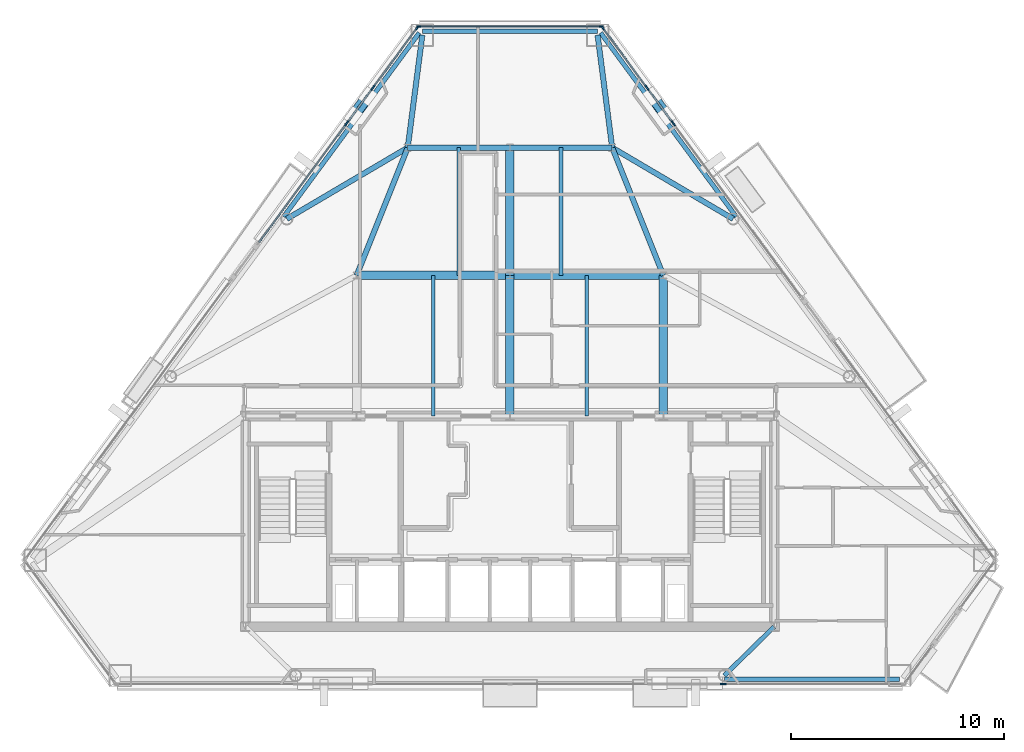
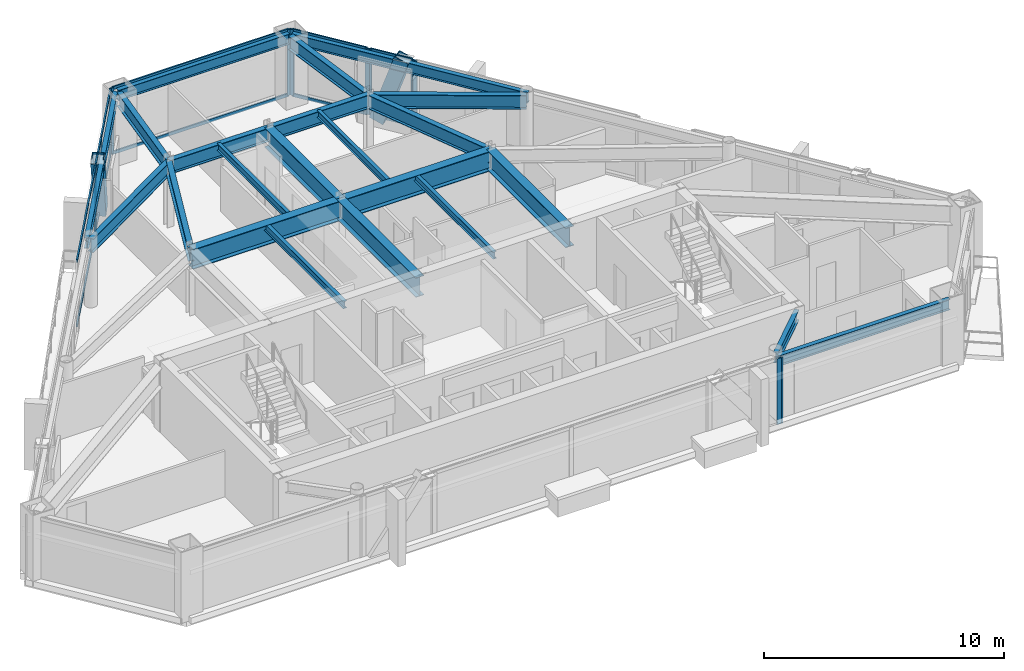
# One storey, part 4 of 11: 28 members, 22 beams, 9 elements without a shape of their own.
"""IFC4 building model written with IfcOpenShell, lengths in metres."""

from ifc_helpers import new_model, si_unit, direction, frame, origin, origin_2d, place, context, subcontext, project, spatial, rectangle, hollow_rectangle, i_section, extrude, material, layer, layer_set, material_profile, profile_set, type_object, element, aggregate, save


model = new_model("IFC4")

# Units and contexts
model_context = context("Model", 3, precision=1e-05, world=origin(), true_north=direction((0.0, 1.0)))
body_context = subcontext(model_context, "Body", "Model", "MODEL_VIEW")
ifc_project = project(units=[si_unit("LENGTHUNIT", "METRE"), si_unit("AREAUNIT", "SQUARE_METRE"), si_unit("VOLUMEUNIT", "CUBIC_METRE"), si_unit("PLANEANGLEUNIT", "RADIAN"), si_unit("MASSUNIT", "GRAM", prefix="KILO")], contexts=[model_context])

# Site, building, storey
site_placement = place(None, origin())
site = spatial("IfcSite", under=ifc_project, at=site_placement, CompositionType="ELEMENT")
building_placement = place(site_placement, origin())
building = spatial("IfcBuilding", under=site, at=building_placement, Name="Talgorran Terracotta Tower", CompositionType="ELEMENT")
storey_placement = place(building_placement, frame((0.0, 0.0, 178.5)))
storey = spatial("IfcBuildingStorey", under=building, at=storey_placement, Name="L46", CompositionType="ELEMENT", Elevation=178.5)

# Beams
ifc_material_1 = material(Name="Steel Grade 350 (350L0)", Category="steel")
ifc_material_profile_1 = material_profile(ifc_material_1, i_section(OverallWidth=0.39990234375, OverallDepth=1.0, WebThickness=0.01611328125, FlangeThickness=0.031005859375, at=origin_2d()), Name="1000WB296")
ifc_profile_set_1 = profile_set([ifc_material_profile_1], Name="Steel Grade 350 (350L0)")
beam_type_1 = type_object("IfcBeamType", Name="BM_1000WB296", PredefinedType="BEAM", material=ifc_profile_set_1)
for number, where, z_axis, x_axis, name in (
    (1, (0.0, -4.199951171875, 2.85009765625), (0.0, 1.0, 0.0), (-1.0, 0.0, 0.0), "L46 Floor Girder G02"),
    (2, (7.199951171875, -4.199951171875, 2.85009765625), (0.0, 1.0, 0.0), (-1.0, 0.0, 0.0), "L46 Floor Girder G03"),
):
    element("IfcBeam", number, at=place(storey_placement, frame(where, z_axis=z_axis, x_axis=x_axis)), inside=storey, type_object=beam_type_1, Name=name, PredefinedType="BEAM", context=body_context, shape_type="SweptSolid", body=[
        extrude(i_section(OverallWidth=0.39990234375, OverallDepth=1.0, WebThickness=0.01611328125, FlangeThickness=0.031005859375, at=origin_2d()), origin(), (0.0, 0.0, 1.0), 6.599853515625),
    ])
for number, where, z_axis, x_axis, name in (
    (3, (-7.199951171875, 2.39990234375, 2.85009765625), (1.0, 0.0, 0.0), (0.0, 1.0, 0.0), "L46 Floor Girder G04"),
    (4, (0.0, 2.39990234375, 2.85009765625), (1.0, 0.0, 0.0), (0.0, 1.0, 0.0), "L46 Floor Girder G05"),
):
    element("IfcBeam", number, at=place(storey_placement, frame(where, z_axis=z_axis, x_axis=x_axis)), inside=storey, type_object=beam_type_1, Name=name, PredefinedType="BEAM", context=body_context, shape_type="SweptSolid", body=[
        extrude(i_section(OverallWidth=0.39990234375, OverallDepth=1.0, WebThickness=0.01611328125, FlangeThickness=0.031005859375, at=origin_2d()), origin(), (0.0, 0.0, 1.0), 7.199951171875),
    ])
beam_1_placement = place(storey_placement, frame((0.0, 2.39990234375, 2.85009765625), z_axis=(0.0, 1.0, 0.0), x_axis=(-1.0, 0.0, 0.0)))
element("IfcBeam", 5, at=beam_1_placement, inside=storey, type_object=beam_type_1, Name="L46 Floor Girder G09", PredefinedType="BEAM", context=body_context, shape_type="SweptSolid", body=[
    extrude(i_section(OverallWidth=0.39990234375, OverallDepth=1.0, WebThickness=0.01611328125, FlangeThickness=0.031005859375, at=origin_2d()), origin(), (0.0, 0.0, 1.0), 6.0),
])
ifc_material_2 = material(Name="Steel S355 (300PLUS)", Category="steel")
ifc_material_profile_2 = material_profile(ifc_material_2, i_section(OverallWidth=0.25, OverallDepth=0.699951171875, WebThickness=0.011962890625, FlangeThickness=0.02392578125, at=origin_2d()), Name="700WB150")
ifc_profile_set_2 = profile_set([ifc_material_profile_2], Name="Steel S355 (300PLUS)")
beam_type_2 = type_object("IfcBeamType", Name="BM_700WB150", PredefinedType="BEAM", material=ifc_profile_set_2)
for number, where, z_axis, x_axis, name in (
    (6, (-7.199951171875, 2.39990234375, 3.0), (0.371377648723, 0.928481901832, 0.0), (-0.928481901832, 0.371377648723, 0.0), "L46 Floor Girder G08"),
    (7, (7.199951171875, 2.39990234375, 3.0), (-0.371377648723, 0.928481901832, 0.0), (-0.928481901832, -0.371377648723, 0.0), "L46 Floor Girder G10"),
):
    element("IfcBeam", number, at=place(storey_placement, frame(where, z_axis=z_axis, x_axis=x_axis)), inside=storey, type_object=beam_type_2, Name=name, PredefinedType="BEAM", context=body_context, shape_type="SweptSolid", body=[
        extrude(i_section(OverallWidth=0.25, OverallDepth=0.699951171875, WebThickness=0.011962890625, FlangeThickness=0.02392578125, at=origin_2d()), origin(), (0.0, 0.0, 1.0), 6.462158203125),
    ])
for number, where, z_axis, x_axis, name in (
    (8, (-4.800048828125, 8.39990234375, 3.0), (1.0, 0.0, 0.0), (0.0, 1.0, 0.0), "L46 Floor Girder G11"),
    (9, (0.0, 8.39990234375, 3.0), (1.0, 0.0, 0.0), (0.0, 1.0, 0.0), "L46 Floor Girder G12"),
):
    element("IfcBeam", number, at=place(storey_placement, frame(where, z_axis=z_axis, x_axis=x_axis)), inside=storey, type_object=beam_type_2, Name=name, PredefinedType="BEAM", context=body_context, shape_type="SweptSolid", body=[
        extrude(i_section(OverallWidth=0.25, OverallDepth=0.699951171875, WebThickness=0.011962890625, FlangeThickness=0.02392578125, at=origin_2d()), origin(), (0.0, 0.0, 1.0), 4.800048828125),
    ])
for number, where, z_axis, x_axis, name in (
    (10, (-4.800048828125, 8.39990234375, 3.0), (-0.861549168895, -0.507674137195, 0.0), (0.507674137195, -0.861549168895, 0.0), "L46 Floor Girder G13"),
    (11, (4.800048828125, 8.39990234375, 3.0), (0.861549168895, -0.507674137195, 0.0), (0.507674137195, 0.861549168895, 0.0), "L46 Floor Girder G14"),
):
    element("IfcBeam", number, at=place(storey_placement, frame(where, z_axis=z_axis, x_axis=x_axis)), inside=storey, type_object=beam_type_2, Name=name, PredefinedType="BEAM", context=body_context, shape_type="SweptSolid", body=[
        extrude(i_section(OverallWidth=0.25, OverallDepth=0.699951171875, WebThickness=0.011962890625, FlangeThickness=0.02392578125, at=origin_2d()), origin(), (0.0, 0.0, 1.0), 6.58935546875),
    ])
for number, where, z_axis, x_axis, name in (
    (12, (-4.800048828125, 8.39990234375, 3.0), (0.128759320013, 0.991675873211, 0.0), (-0.991675873211, 0.128759320013, 0.0), "L46 Floor Girder G15"),
    (13, (4.800048828125, 8.39990234375, 3.0), (-0.128759320013, 0.991675873211, 0.0), (-0.991675873211, -0.128759320013, 0.0), "L46 Floor Girder G16"),
):
    element("IfcBeam", number, at=place(storey_placement, frame(where, z_axis=z_axis, x_axis=x_axis)), inside=storey, type_object=beam_type_2, Name=name, PredefinedType="BEAM", context=body_context, shape_type="SweptSolid", body=[
        extrude(i_section(OverallWidth=0.25, OverallDepth=0.699951171875, WebThickness=0.011962890625, FlangeThickness=0.02392578125, at=origin_2d()), origin(), (0.0, 0.0, 1.0), 5.328125),
    ])
ifc_material_profile_3 = material_profile(ifc_material_2, i_section(OverallWidth=0.17138671875, OverallDepth=0.355712890625, WebThickness=0.00732421875, FlangeThickness=0.011474609375, at=origin_2d()), Name="360UB50.7")
ifc_profile_set_3 = profile_set([ifc_material_profile_3], Name="Steel S355 (300PLUS)")
beam_type_3 = type_object("IfcBeamType", Name="BM_JS_360UB51", PredefinedType="JOIST", material=ifc_profile_set_3)
for number, where, z_axis, x_axis, name in (
    (14, (-3.60009765625, -4.199951171875, 3.172119140625), (0.0, 1.0, 0.0), (-1.0, 0.0, 0.0), "L46 Secondary Joist J01"),
    (15, (3.60009765625, -4.199951171875, 3.172119140625), (0.0, 1.0, 0.0), (-1.0, 0.0, 0.0), "L46 Secondary Joist J02"),
):
    element("IfcBeam", number, at=place(storey_placement, frame(where, z_axis=z_axis, x_axis=x_axis)), inside=storey, type_object=beam_type_3, Name=name, PredefinedType="JOIST", context=body_context, shape_type="SweptSolid", body=[
        extrude(i_section(OverallWidth=0.17138671875, OverallDepth=0.355712890625, WebThickness=0.00732421875, FlangeThickness=0.011474609375, at=origin_2d()), origin(), (0.0, 0.0, 1.0), 6.599853515625),
    ])
for number, where, z_axis, x_axis, name in (
    (16, (-2.39990234375, 2.39990234375, 3.172119140625), (0.0, 1.0, 0.0), (-1.0, 0.0, 0.0), "L46 Secondary Joist J03"),
    (17, (2.39990234375, 2.39990234375, 3.172119140625), (0.0, 1.0, 0.0), (-1.0, 0.0, 0.0), "L46 Secondary Joist J04"),
):
    element("IfcBeam", number, at=place(storey_placement, frame(where, z_axis=z_axis, x_axis=x_axis)), inside=storey, type_object=beam_type_3, Name=name, PredefinedType="JOIST", context=body_context, shape_type="SweptSolid", body=[
        extrude(i_section(OverallWidth=0.17138671875, OverallDepth=0.355712890625, WebThickness=0.00732421875, FlangeThickness=0.011474609375, at=origin_2d()), origin(), (0.0, 0.0, 1.0), 6.0),
    ])
ifc_material_profile_4 = material_profile(ifc_material_2, i_section(OverallWidth=0.209228515625, OverallDepth=0.532958984375, WebThickness=0.01025390625, FlangeThickness=0.015625, at=origin_2d()), Name="530UB92.4")
ifc_profile_set_4 = profile_set([ifc_material_profile_4], Name="Steel S355 (300PLUS)")
beam_type_4 = type_object("IfcBeamType", Name="BM_SP_530UB92", PredefinedType="SPANDREL", material=ifc_profile_set_4)
beam_2_placement = place(storey_placement, frame((10.0654296875, -16.565673828125, 3.08349609375), z_axis=(1.0, 0.0, 0.0), x_axis=(0.0, 1.0, 0.0)))
element("IfcBeam", 18, at=beam_2_placement, inside=storey, type_object=beam_type_4, Name="L46 Perimeter Spandrel Beam FC2-MC3", PredefinedType="SPANDREL", context=body_context, shape_type="SweptSolid", body=[
    extrude(i_section(OverallWidth=0.209228515625, OverallDepth=0.532958984375, WebThickness=0.01025390625, FlangeThickness=0.015625, at=origin_2d()), origin(), (0.0, 0.0, 1.0), 8.2353515625),
])
beam_3_placement = place(storey_placement, frame((10.621826171875, 5.16162109375, 3.08349609375), z_axis=(-0.593491072878, 0.804840572048, 0.0), x_axis=(-0.804840572048, -0.593491072878, 0.0)))
element("IfcBeam", 19, at=beam_3_placement, inside=storey, type_object=beam_type_4, Name="L46 Perimeter Spandrel Beam FC4-MC5", PredefinedType="SPANDREL", context=body_context, shape_type="SweptSolid", body=[
    extrude(i_section(OverallWidth=0.209228515625, OverallDepth=0.532958984375, WebThickness=0.01025390625, FlangeThickness=0.015625, at=origin_2d()), origin(), (0.0, 0.0, 1.0), 10.720947265625),
])
beam_4_placement = place(storey_placement, frame((4.114013671875, 13.863525390625, 3.08349609375), z_axis=(-1.0, 0.0, 0.0), x_axis=(0.0, -1.0, 0.0)))
element("IfcBeam", 20, at=beam_4_placement, inside=storey, type_object=beam_type_4, Name="L46 Perimeter Spandrel Beam MC5-MC6", PredefinedType="SPANDREL", context=body_context, shape_type="SweptSolid", body=[
    extrude(i_section(OverallWidth=0.209228515625, OverallDepth=0.532958984375, WebThickness=0.01025390625, FlangeThickness=0.015625, at=origin_2d()), origin(), (0.0, 0.0, 1.0), 8.22802734375),
])
beam_5_placement = place(storey_placement, frame((-4.259033203125, 13.790283203125, 3.08349609375), z_axis=(-0.593491072878, -0.804840572048, 0.0), x_axis=(0.804840572048, -0.593491072878, 0.0)))
element("IfcBeam", 21, at=beam_5_placement, inside=storey, type_object=beam_type_4, Name="L46 Perimeter Spandrel Beam MC6-FC5", PredefinedType="SPANDREL", context=body_context, shape_type="SweptSolid", body=[
    extrude(i_section(OverallWidth=0.209228515625, OverallDepth=0.532958984375, WebThickness=0.01025390625, FlangeThickness=0.015625, at=origin_2d()), origin(), (0.0, 0.0, 1.0), 10.720947265625),
])
beam_6_placement = place(storey_placement, frame((12.39990234375, -14.10009765625, 3.08349609375), z_axis=(-0.714577354867, -0.699556433686, 0.0), x_axis=(0.699556433686, -0.714577354867, 0.0)))
element("IfcBeam", 22, at=beam_6_placement, inside=storey, type_object=beam_type_4, Name="L46 South-East Core Tie Beam", PredefinedType="SPANDREL", context=body_context, shape_type="SweptSolid", body=[
    extrude(i_section(OverallWidth=0.209228515625, OverallDepth=0.532958984375, WebThickness=0.01025390625, FlangeThickness=0.015625, at=origin_2d()), origin(), (0.0, 0.0, 1.0), 3.266845703125),
])

# Members
ifc_material_profile_5 = material_profile(ifc_material_1, hollow_rectangle(XDim=0.52001953125, YDim=0.659912109375, WallThickness=0.034912109375, at=origin_2d()), Name="WBOX660X520X35")
ifc_profile_set_5 = profile_set([ifc_material_profile_5], Name="Steel Grade 350 (350L0)")
member_type_1 = type_object("IfcMemberType", Name="MB_MEGA_660", PredefinedType="BRACE", material=ifc_profile_set_5)
for number, where, z_axis, x_axis, name in (
    (23, (6.67529296875, 10.81689453125, -0.02490234375), (0.19018965975, -0.257871602329, 0.947275107895), (0.804788964995, 0.593561051471, 0.0), "L46 Exterior Face Mega-Brace MB-3 (NEU)"),
    (24, (-6.67529296875, 10.81689453125, -0.02490234375), (-0.19018965975, -0.257871602329, 0.947275107895), (0.804788964995, -0.593561051471, 0.0), "L46 Exterior Face Mega-Brace MB-3 (NWU)"),
):
    element("IfcMember", number, at=place(storey_placement, frame(where, z_axis=z_axis, x_axis=x_axis)), inside=storey, type_object=member_type_1, Name=name, PredefinedType="BRACE", context=body_context, shape_type="SweptSolid", body=[
        extrude(hollow_rectangle(XDim=0.52001953125, YDim=0.659912109375, WallThickness=0.034912109375, at=origin_2d()), origin(), (0.0, 0.0, 1.0), 3.589111328125),
    ])

# Curtain wall, member
ifc_material_3 = material(Name="High-Wind Unitised Glazing", Category="glass")
ifc_layer = layer(ifc_material_3, 0.2099609375, Name="CW_SYS3_RES_HIGH")
ifc_layer_set = layer_set([ifc_layer], Name="High-Wind Unitised Glazing")
curtain_wall_type = type_object("IfcCurtainWallType", Name="CW_SYS3_RES_HIGH", PredefinedType="NOTDEFINED", material=ifc_layer_set)
curtain_wall_1_placement = place(storey_placement, origin())
curtain_wall_1 = element("IfcCurtainWall", 25, at=curtain_wall_1_placement, inside=storey, type_object=curtain_wall_type, Name="CW-L46-F1D", PredefinedType="NOTDEFINED")
ifc_material_4 = material(Name="Architectural Aluminium 6063-T6", Category="aluminium")
ifc_material_profile_6 = material_profile(ifc_material_4, rectangle(XDim=0.070068359375, YDim=0.199951171875, at=origin_2d()), Name="CWM70X200")
ifc_profile_set_6 = profile_set([ifc_material_profile_6], Name="Architectural Aluminium 6063-T6")
member_type_2 = type_object("IfcMemberType", Name="MUL_70X200", PredefinedType="MULLION", material=ifc_profile_set_6)
member_1_placement = place(storey_placement, frame((9.9833984375, -16.78564453125, 0.0), z_axis=(0.0, 0.0, 1.0), x_axis=(0.0, 1.0, 0.0)))
member_1 = element("IfcMember", 26, at=member_1_placement, type_object=member_type_2, Name="CW-L46-1D mullion 2", PredefinedType="MULLION", context=body_context, shape_type="SweptSolid", body=[
    extrude(rectangle(XDim=0.070068359375, YDim=0.199951171875, at=origin_2d()), origin(), (0.0, 0.0, 1.0), 3.35009765625),
])
aggregate(curtain_wall_1, [member_1])

curtain_wall_2_placement = place(storey_placement, origin())
curtain_wall_2 = element("IfcCurtainWall", 27, at=curtain_wall_2_placement, inside=storey, type_object=curtain_wall_type, Name="CW-L46-F1E", PredefinedType="NOTDEFINED")
member_2_placement = place(storey_placement, frame((10.0634765625, -16.78564453125, 0.0), z_axis=(0.0, 0.0, 1.0), x_axis=(0.0, 1.0, 0.0)))
member_2 = element("IfcMember", 28, at=member_2_placement, type_object=member_type_2, Name="CW-L46-1E mullion 1", PredefinedType="MULLION", context=body_context, shape_type="SweptSolid", body=[
    extrude(rectangle(XDim=0.070068359375, YDim=0.199951171875, at=origin_2d()), origin(), (0.0, 0.0, 1.0), 3.35009765625),
])
aggregate(curtain_wall_2, [member_2])

curtain_wall_3_placement = place(storey_placement, origin())
curtain_wall_3 = element("IfcCurtainWall", 29, at=curtain_wall_3_placement, inside=storey, type_object=curtain_wall_type, Name="CW-L46-F41", PredefinedType="NOTDEFINED")
member_3_placement = place(storey_placement, frame((7.688232421875, 9.510498046875, 0.0), z_axis=(0.0, 0.0, 1.0), x_axis=(-0.804840415381, -0.593491285336, 0.0)))
member_3 = element("IfcMember", 30, at=member_3_placement, type_object=member_type_2, Name="CW-L46-41 mullion 2", PredefinedType="MULLION", context=body_context, shape_type="SweptSolid", body=[
    extrude(rectangle(XDim=0.070068359375, YDim=0.199951171875, at=origin_2d()), origin(), (0.0, 0.0, 1.0), 3.35009765625),
])
aggregate(curtain_wall_3, [member_3])

# Curtain wall, members
curtain_wall_4_placement = place(storey_placement, origin())
curtain_wall_4 = element("IfcCurtainWall", 31, at=curtain_wall_4_placement, inside=storey, type_object=curtain_wall_type, Name="CW-L46-F41B", PredefinedType="NOTDEFINED")
member_4_placement = place(storey_placement, frame((7.640869140625, 9.574951171875, 0.0), z_axis=(0.0, 0.0, 1.0), x_axis=(-0.804825749538, -0.593511173341, 0.0)))
member_4 = element("IfcMember", 32, at=member_4_placement, type_object=member_type_2, Name="CW-L46-41B mullion 1", PredefinedType="MULLION", context=body_context, shape_type="SweptSolid", body=[
    extrude(rectangle(XDim=0.070068359375, YDim=0.199951171875, at=origin_2d()), origin(), (0.0, 0.0, 1.0), 3.35009765625),
])
member_5_placement = place(storey_placement, frame((6.456787109375, 11.1806640625, 0.0), z_axis=(0.0, 0.0, 1.0), x_axis=(-0.804825749538, -0.593511173341, 0.0)))
member_5 = element("IfcMember", 33, at=member_5_placement, type_object=member_type_2, Name="CW-L46-41B mullion 2", PredefinedType="MULLION", context=body_context, shape_type="SweptSolid", body=[
    extrude(rectangle(XDim=0.070068359375, YDim=0.199951171875, at=origin_2d()), origin(), (0.0, 0.0, 1.0), 3.35009765625),
])

curtain_wall_5_placement = place(storey_placement, origin())
curtain_wall_5 = element("IfcCurtainWall", 34, at=curtain_wall_5_placement, inside=storey, type_object=curtain_wall_type, Name="CW-L46-F41C", PredefinedType="NOTDEFINED")
member_6_placement = place(storey_placement, frame((6.4091796875, 11.2451171875, 0.0), z_axis=(0.0, 0.0, 1.0), x_axis=(-0.804835968528, -0.593497315718, 0.0)))
member_6 = element("IfcMember", 35, at=member_6_placement, type_object=member_type_2, Name="CW-L46-41C mullion 1", PredefinedType="MULLION", context=body_context, shape_type="SweptSolid", body=[
    extrude(rectangle(XDim=0.070068359375, YDim=0.199951171875, at=origin_2d()), origin(), (0.0, 0.0, 1.0), 3.35009765625),
])
member_7_placement = place(storey_placement, frame((4.360595703125, 14.023193359375, 0.0), z_axis=(0.0, 0.0, 1.0), x_axis=(-0.804835968528, -0.593497315718, 0.0)))
member_7 = element("IfcMember", 36, at=member_7_placement, type_object=member_type_2, Name="CW-L46-41C mullion 2", PredefinedType="MULLION", context=body_context, shape_type="SweptSolid", body=[
    extrude(rectangle(XDim=0.070068359375, YDim=0.199951171875, at=origin_2d()), origin(), (0.0, 0.0, 1.0), 3.35009765625),
])

curtain_wall_6_placement = place(storey_placement, origin())
curtain_wall_6 = element("IfcCurtainWall", 37, at=curtain_wall_6_placement, inside=storey, type_object=curtain_wall_type, Name="CW-L46-F4", PredefinedType="NOTDEFINED")
member_8_placement = place(storey_placement, frame((4.281005859375, 14.08349609375, 0.0), z_axis=(0.0, 0.0, 1.0), x_axis=(0.0, -1.0, 0.0)))
member_8 = element("IfcMember", 38, at=member_8_placement, type_object=member_type_2, Name="CW-L46-4 mullion 1", PredefinedType="MULLION", context=body_context, shape_type="SweptSolid", body=[
    extrude(rectangle(XDim=0.070068359375, YDim=0.199951171875, at=origin_2d()), origin(), (0.0, 0.0, 1.0), 3.35009765625),
])
member_9_placement = place(storey_placement, frame((-4.281005859375, 14.08349609375, 0.0), z_axis=(0.0, 0.0, 1.0), x_axis=(0.0, -1.0, 0.0)))
member_9 = element("IfcMember", 39, at=member_9_placement, type_object=member_type_2, Name="CW-L46-4 mullion 2", PredefinedType="MULLION", context=body_context, shape_type="SweptSolid", body=[
    extrude(rectangle(XDim=0.070068359375, YDim=0.199951171875, at=origin_2d()), origin(), (0.0, 0.0, 1.0), 3.35009765625),
])

curtain_wall_7_placement = place(storey_placement, origin())
curtain_wall_7 = element("IfcCurtainWall", 40, at=curtain_wall_7_placement, inside=storey, type_object=curtain_wall_type, Name="CW-L46-F60", PredefinedType="NOTDEFINED")
member_10_placement = place(storey_placement, frame((-4.360595703125, 14.023193359375, 0.0), z_axis=(0.0, 0.0, 1.0), x_axis=(0.804835968528, -0.593497315718, 0.0)))
member_10 = element("IfcMember", 41, at=member_10_placement, type_object=member_type_2, Name="CW-L46-60 mullion 1", PredefinedType="MULLION", context=body_context, shape_type="SweptSolid", body=[
    extrude(rectangle(XDim=0.070068359375, YDim=0.199951171875, at=origin_2d()), origin(), (0.0, 0.0, 1.0), 3.35009765625),
])
member_11_placement = place(storey_placement, frame((-6.4091796875, 11.2451171875, 0.0), z_axis=(0.0, 0.0, 1.0), x_axis=(0.804835968528, -0.593497315718, 0.0)))
member_11 = element("IfcMember", 42, at=member_11_placement, type_object=member_type_2, Name="CW-L46-60 mullion 2", PredefinedType="MULLION", context=body_context, shape_type="SweptSolid", body=[
    extrude(rectangle(XDim=0.070068359375, YDim=0.199951171875, at=origin_2d()), origin(), (0.0, 0.0, 1.0), 3.35009765625),
])

curtain_wall_8_placement = place(storey_placement, origin())
curtain_wall_8 = element("IfcCurtainWall", 43, at=curtain_wall_8_placement, inside=storey, type_object=curtain_wall_type, Name="CW-L46-F60B", PredefinedType="NOTDEFINED")
member_12_placement = place(storey_placement, frame((-6.456787109375, 11.1806640625, 0.0), z_axis=(0.0, 0.0, 1.0), x_axis=(0.804842805539, -0.593488044001, 0.0)))
member_12 = element("IfcMember", 44, at=member_12_placement, type_object=member_type_2, Name="CW-L46-60B mullion 1", PredefinedType="MULLION", context=body_context, shape_type="SweptSolid", body=[
    extrude(rectangle(XDim=0.070068359375, YDim=0.199951171875, at=origin_2d()), origin(), (0.0, 0.0, 1.0), 3.35009765625),
])
member_13_placement = place(storey_placement, frame((-7.640869140625, 9.574951171875, 0.0), z_axis=(0.0, 0.0, 1.0), x_axis=(0.804842805539, -0.593488044001, 0.0)))
member_13 = element("IfcMember", 45, at=member_13_placement, type_object=member_type_2, Name="CW-L46-60B mullion 2", PredefinedType="MULLION", context=body_context, shape_type="SweptSolid", body=[
    extrude(rectangle(XDim=0.070068359375, YDim=0.199951171875, at=origin_2d()), origin(), (0.0, 0.0, 1.0), 3.35009765625),
])

# Curtain wall, member
curtain_wall_9_placement = place(storey_placement, origin())
curtain_wall_9 = element("IfcCurtainWall", 46, at=curtain_wall_9_placement, inside=storey, type_object=curtain_wall_type, Name="CW-L46-F60C", PredefinedType="NOTDEFINED")
member_14_placement = place(storey_placement, frame((-7.688232421875, 9.510498046875, 0.0), z_axis=(0.0, 0.0, 1.0), x_axis=(0.804837038972, -0.593495864096, 0.0)))
member_14 = element("IfcMember", 47, at=member_14_placement, type_object=member_type_2, Name="CW-L46-60C mullion 1", PredefinedType="MULLION", context=body_context, shape_type="SweptSolid", body=[
    extrude(rectangle(XDim=0.070068359375, YDim=0.199951171875, at=origin_2d()), origin(), (0.0, 0.0, 1.0), 3.35009765625),
])

# Member
ifc_material_profile_7 = material_profile(ifc_material_4, rectangle(XDim=0.070068359375, YDim=0.159912109375, at=origin_2d()), Name="CWT70X160")
ifc_profile_set_7 = profile_set([ifc_material_profile_7], Name="Architectural Aluminium 6063-T6")
member_type_3 = type_object("IfcMemberType", Name="TRN_70X160", PredefinedType="USERDEFINED", material=ifc_profile_set_7)
member_15_placement = place(storey_placement, frame((7.6201171875, 9.60302734375, 0.034912109375), z_axis=(-0.593527769942, 0.804813510267, 0.0), x_axis=(-0.804813510267, -0.593527769942, 0.0)))
member_15 = element("IfcMember", 48, at=member_15_placement, type_object=member_type_3, Name="CW-L46-41B transom 1.1", ObjectType="TRANSOM", PredefinedType="USERDEFINED", context=body_context, shape_type="SweptSolid", body=[
    extrude(rectangle(XDim=0.070068359375, YDim=0.159912109375, at=origin_2d()), origin(), (0.0, 0.0, 1.0), 1.925048828125),
])

member_16_placement = place(storey_placement, frame((7.6201171875, 9.60302734375, 3.31494140625), z_axis=(-0.593527769942, 0.804813510267, 0.0), x_axis=(-0.804813510267, -0.593527769942, 0.0)))
member_16 = element("IfcMember", 49, at=member_16_placement, type_object=member_type_3, Name="CW-L46-41B transom 1.2", ObjectType="TRANSOM", PredefinedType="USERDEFINED", context=body_context, shape_type="SweptSolid", body=[
    extrude(rectangle(XDim=0.070068359375, YDim=0.159912109375, at=origin_2d()), origin(), (0.0, 0.0, 1.0), 1.925048828125),
])

aggregate(curtain_wall_4, [member_4, member_5, member_15, member_16])

member_17_placement = place(storey_placement, frame((6.388427734375, 11.273193359375, 0.034912109375), z_axis=(-0.593477266144, 0.804850752979, 0.0), x_axis=(-0.804850752979, -0.593477266144, 0.0)))
member_17 = element("IfcMember", 50, at=member_17_placement, type_object=member_type_3, Name="CW-L46-41C transom 1.1", ObjectType="TRANSOM", PredefinedType="USERDEFINED", context=body_context, shape_type="SweptSolid", body=[
    extrude(rectangle(XDim=0.070068359375, YDim=0.159912109375, at=origin_2d()), origin(), (0.0, 0.0, 1.0), 3.3818359375),
])

member_18_placement = place(storey_placement, frame((6.388427734375, 11.273193359375, 3.31494140625), z_axis=(-0.593477266144, 0.804850752979, 0.0), x_axis=(-0.804850752979, -0.593477266144, 0.0)))
member_18 = element("IfcMember", 51, at=member_18_placement, type_object=member_type_3, Name="CW-L46-41C transom 1.2", ObjectType="TRANSOM", PredefinedType="USERDEFINED", context=body_context, shape_type="SweptSolid", body=[
    extrude(rectangle(XDim=0.070068359375, YDim=0.159912109375, at=origin_2d()), origin(), (0.0, 0.0, 1.0), 3.3818359375),
])

aggregate(curtain_wall_5, [member_6, member_7, member_17, member_18])

member_19_placement = place(storey_placement, frame((4.24609375, 14.08349609375, 0.034912109375), z_axis=(-1.0, 0.0, 0.0), x_axis=(0.0, -1.0, 0.0)))
member_19 = element("IfcMember", 52, at=member_19_placement, type_object=member_type_3, Name="CW-L46-4 transom 1.1", ObjectType="TRANSOM", PredefinedType="USERDEFINED", context=body_context, shape_type="SweptSolid", body=[
    extrude(rectangle(XDim=0.070068359375, YDim=0.159912109375, at=origin_2d()), origin(), (0.0, 0.0, 1.0), 8.4921875),
])

member_20_placement = place(storey_placement, frame((4.24609375, 14.08349609375, 3.31494140625), z_axis=(-1.0, 0.0, 0.0), x_axis=(0.0, -1.0, 0.0)))
member_20 = element("IfcMember", 53, at=member_20_placement, type_object=member_type_3, Name="CW-L46-4 transom 1.2", ObjectType="TRANSOM", PredefinedType="USERDEFINED", context=body_context, shape_type="SweptSolid", body=[
    extrude(rectangle(XDim=0.070068359375, YDim=0.159912109375, at=origin_2d()), origin(), (0.0, 0.0, 1.0), 8.4921875),
])

aggregate(curtain_wall_6, [member_8, member_9, member_19, member_20])

member_21_placement = place(storey_placement, frame((-4.38134765625, 13.9951171875, 0.034912109375), z_axis=(-0.593477266144, -0.804850752979, 0.0), x_axis=(0.804850752979, -0.593477266144, 0.0)))
member_21 = element("IfcMember", 54, at=member_21_placement, type_object=member_type_3, Name="CW-L46-60 transom 1.1", ObjectType="TRANSOM", PredefinedType="USERDEFINED", context=body_context, shape_type="SweptSolid", body=[
    extrude(rectangle(XDim=0.070068359375, YDim=0.159912109375, at=origin_2d()), origin(), (0.0, 0.0, 1.0), 3.3818359375),
])

member_22_placement = place(storey_placement, frame((-4.38134765625, 13.9951171875, 3.31494140625), z_axis=(-0.593477266144, -0.804850752979, 0.0), x_axis=(0.804850752979, -0.593477266144, 0.0)))
member_22 = element("IfcMember", 55, at=member_22_placement, type_object=member_type_3, Name="CW-L46-60 transom 1.2", ObjectType="TRANSOM", PredefinedType="USERDEFINED", context=body_context, shape_type="SweptSolid", body=[
    extrude(rectangle(XDim=0.070068359375, YDim=0.159912109375, at=origin_2d()), origin(), (0.0, 0.0, 1.0), 3.3818359375),
])

aggregate(curtain_wall_7, [member_10, member_11, member_21, member_22])

member_23_placement = place(storey_placement, frame((-6.4775390625, 11.152587890625, 0.034912109375), z_axis=(-0.593467194133, -0.804858179736, 0.0), x_axis=(0.804858179736, -0.593467194133, 0.0)))
member_23 = element("IfcMember", 56, at=member_23_placement, type_object=member_type_3, Name="CW-L46-60B transom 1.1", ObjectType="TRANSOM", PredefinedType="USERDEFINED", context=body_context, shape_type="SweptSolid", body=[
    extrude(rectangle(XDim=0.070068359375, YDim=0.159912109375, at=origin_2d()), origin(), (0.0, 0.0, 1.0), 1.92529296875),
])

member_24_placement = place(storey_placement, frame((-6.4775390625, 11.152587890625, 3.31494140625), z_axis=(-0.593467194133, -0.804858179736, 0.0), x_axis=(0.804858179736, -0.593467194133, 0.0)))
member_24 = element("IfcMember", 57, at=member_24_placement, type_object=member_type_3, Name="CW-L46-60B transom 1.2", ObjectType="TRANSOM", PredefinedType="USERDEFINED", context=body_context, shape_type="SweptSolid", body=[
    extrude(rectangle(XDim=0.070068359375, YDim=0.159912109375, at=origin_2d()), origin(), (0.0, 0.0, 1.0), 1.92529296875),
])

aggregate(curtain_wall_8, [member_12, member_13, member_23, member_24])

member_25_placement = place(storey_placement, frame((-7.708984375, 9.482421875, 0.034912109375), z_axis=(-0.593503808882, -0.804831180337, 0.0), x_axis=(0.804831180337, -0.593503808882, 0.0)))
member_25 = element("IfcMember", 58, at=member_25_placement, type_object=member_type_3, Name="CW-L46-60C transom 1.1", ObjectType="TRANSOM", PredefinedType="USERDEFINED", context=body_context, shape_type="SweptSolid", body=[
    extrude(rectangle(XDim=0.070068359375, YDim=0.159912109375, at=origin_2d()), origin(), (0.0, 0.0, 1.0), 6.857666015625),
])

member_26_placement = place(storey_placement, frame((-7.708984375, 9.482421875, 3.31494140625), z_axis=(-0.593503808882, -0.804831180337, 0.0), x_axis=(0.804831180337, -0.593503808882, 0.0)))
member_26 = element("IfcMember", 59, at=member_26_placement, type_object=member_type_3, Name="CW-L46-60C transom 1.2", ObjectType="TRANSOM", PredefinedType="USERDEFINED", context=body_context, shape_type="SweptSolid", body=[
    extrude(rectangle(XDim=0.070068359375, YDim=0.159912109375, at=origin_2d()), origin(), (0.0, 0.0, 1.0), 6.857666015625),
])

aggregate(curtain_wall_9, [member_14, member_25, member_26])

save(model, "model.ifc")
